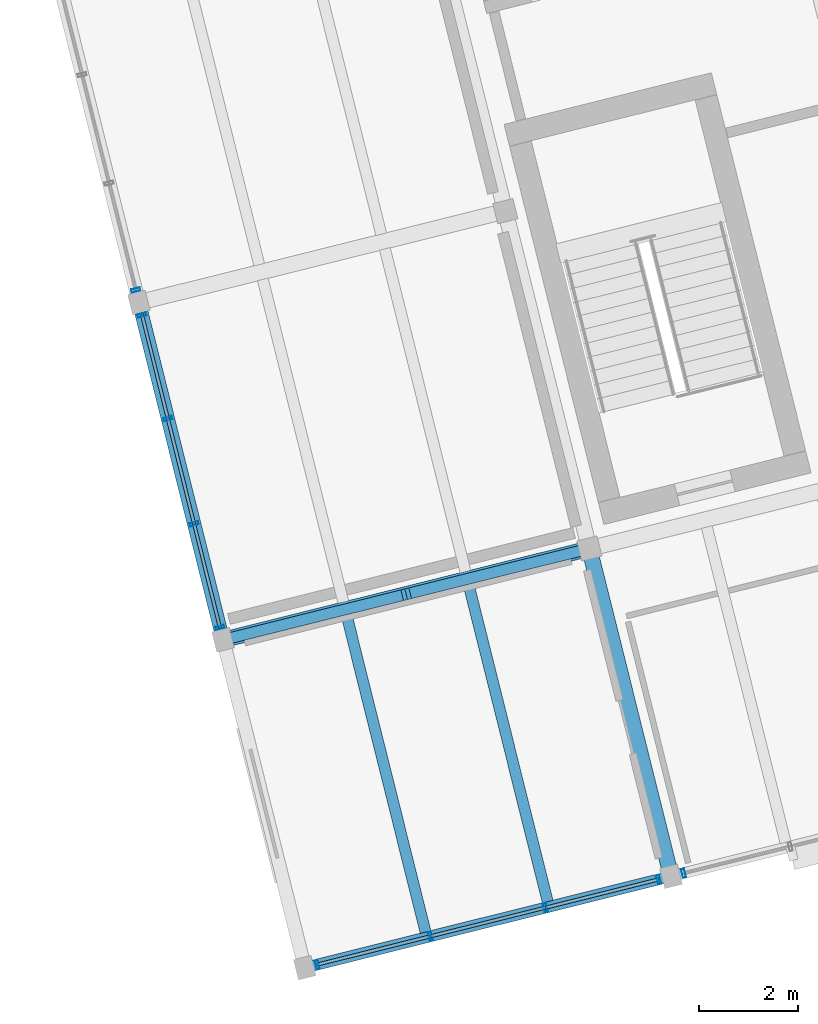
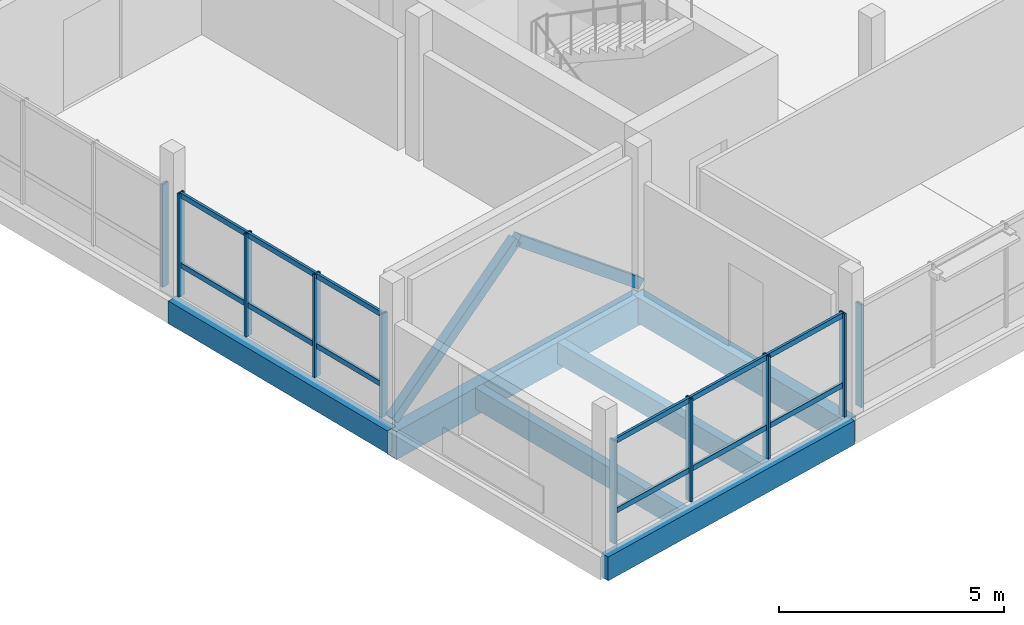
# One storey, part 2 of 28: 24 members, 6 beams, 4 elements without a shape of their own.
"""IFC4 building model written with IfcOpenShell, lengths in metres."""

from ifc_helpers import new_model, si_unit, direction, frame, origin, origin_2d, place, context, subcontext, project, spatial, rectangle, hollow_rectangle, extrude, material, layer, layer_set, material_profile, profile_set, type_object, element, aggregate, save


model = new_model("IFC4")

# Units and contexts
model_context = context("Model", 3, precision=1e-05, world=origin(), true_north=direction((0.0, 1.0)))
body_context = subcontext(model_context, "Body", "Model", "MODEL_VIEW")
ifc_project = project(units=[si_unit("LENGTHUNIT", "METRE"), si_unit("AREAUNIT", "SQUARE_METRE"), si_unit("VOLUMEUNIT", "CUBIC_METRE"), si_unit("PLANEANGLEUNIT", "RADIAN"), si_unit("MASSUNIT", "GRAM", prefix="KILO")], contexts=[model_context])

# Site, building, storey
site_placement = place(None, origin())
site = spatial("IfcSite", under=ifc_project, at=site_placement, CompositionType="ELEMENT")
building_placement = place(site_placement, origin())
building = spatial("IfcBuilding", under=site, at=building_placement, Name="Meriwether Solvik Hall", CompositionType="ELEMENT")
storey_placement = place(building_placement, frame((0.0, 0.0, 30.0)))
storey = spatial("IfcBuildingStorey", under=building, at=storey_placement, Name="L07", CompositionType="ELEMENT", Elevation=30.0)

# Beams
ifc_material_1 = material(Name="Glulam Douglas-Fir 24F-V8 GL28h", Category="wood")
ifc_material_profile_1 = material_profile(ifc_material_1, rectangle(XDim=0.221923828125, YDim=0.64501953125, at=origin_2d()), Name="GLB-222X645")
ifc_profile_set_1 = profile_set([ifc_material_profile_1], Name="Glulam Douglas-Fir 24F-V8 GL28h")
beam_type_1 = type_object("IfcBeamType", Name="BM-GL-222X645", PredefinedType="SPANDREL", material=ifc_profile_set_1)
beam_1_placement = place(storey_placement, frame((68.60009765625, 41.199951171875, -0.54248046875), z_axis=(0.970295366785, 0.241923337436, 0.0), x_axis=(-0.241923337436, 0.970295366785, 0.0)))
element("IfcBeam", 1, at=beam_1_placement, inside=storey, type_object=beam_type_1, Name="Tower Girder TA:T1-T2 (L07)", PredefinedType="SPANDREL", context=body_context, shape_type="SweptSolid", body=[
    extrude(rectangle(XDim=0.221923828125, YDim=0.64501953125, at=origin_2d()), origin(), (0.0, 0.0, 1.0), 7.60009765625),
])
ifc_material_2 = material(Name="Glulam Douglas-Fir 24F-V8 GL28h", Category="wood")
ifc_material_profile_2 = material_profile(ifc_material_2, rectangle(XDim=0.27294921875, YDim=0.610107421875, at=origin_2d()), Name="GLB-273X610")
ifc_profile_set_2 = profile_set([ifc_material_profile_2], Name="Glulam Douglas-Fir 24F-V8 GL28h")
beam_type_2 = type_object("IfcBeamType", Name="BM-GL-273X610", PredefinedType="SPANDREL", material=ifc_profile_set_2)
beam_2_placement = place(storey_placement, frame((66.954833984375, 47.798095703125, -0.52490234375), z_axis=(-0.241911879182, 0.970298223594, 0.0), x_axis=(-0.970298223594, -0.241911879182, 0.0)))
element("IfcBeam", 2, at=beam_2_placement, inside=storey, type_object=beam_type_2, Name="Tower Girder T1:TB-TC (L07)", PredefinedType="SPANDREL", context=body_context, shape_type="SweptSolid", body=[
    extrude(rectangle(XDim=0.27294921875, YDim=0.610107421875, at=origin_2d()), origin(), (0.0, 0.0, 1.0), 7.0),
])
ifc_material_3 = material(Name="Glulam Douglas-Fir 24F-V8 GL28h", Category="wood")
ifc_material_profile_3 = material_profile(ifc_material_3, rectangle(XDim=0.31494140625, YDim=0.68505859375, at=origin_2d()), Name="GLB-315X685")
ifc_profile_set_3 = profile_set([ifc_material_profile_3], Name="Glulam Douglas-Fir 24F-V8 GL28h")
beam_type_3 = type_object("IfcBeamType", Name="BM-GL-315X685", PredefinedType="BEAM", material=ifc_profile_set_3)
beam_3_placement = place(storey_placement, frame((75.974365234375, 43.03857421875, -0.5625), z_axis=(-0.241944251278, 0.970290152106, 0.0), x_axis=(-0.970290152106, -0.241944251278, 0.0)))
element("IfcBeam", 3, at=beam_3_placement, inside=storey, type_object=beam_type_3, Name="Tower Girder T2:TA-TB (L07)", PredefinedType="BEAM", context=body_context, shape_type="SweptSolid", body=[
    extrude(rectangle(XDim=0.31494140625, YDim=0.68505859375, at=origin_2d()), origin(), (0.0, 0.0, 1.0), 6.80029296875),
])
ifc_material_4 = material(Name="Glulam Douglas-Fir 24F-V8 GL28h", Category="wood")
ifc_material_profile_4 = material_profile(ifc_material_4, rectangle(XDim=0.31494140625, YDim=0.760009765625, at=origin_2d()), Name="GLB-315X760")
ifc_profile_set_4 = profile_set([ifc_material_profile_4], Name="Glulam Douglas-Fir 24F-V8 GL28h")
beam_type_4 = type_object("IfcBeamType", Name="BM-GL-315X760", PredefinedType="BEAM", material=ifc_profile_set_4)
beam_4_placement = place(storey_placement, frame((66.954833984375, 47.798095703125, -0.60009765625), z_axis=(0.970295366785, 0.241923337436, 0.0), x_axis=(-0.241923337436, 0.970295366785, 0.0)))
element("IfcBeam", 4, at=beam_4_placement, inside=storey, type_object=beam_type_4, Name="Tower Girder TB:T1-T2 (L07)", PredefinedType="BEAM", context=body_context, shape_type="SweptSolid", body=[
    extrude(rectangle(XDim=0.31494140625, YDim=0.760009765625, at=origin_2d()), origin(), (0.0, 0.0, 1.0), 7.60009765625),
])

# Curtain wall, members
ifc_material_5 = material(Name="Thermally Broken Anodised Aluminium 6063-T6 and Low-E Glass", Category="aluminium")
ifc_layer_1 = layer(ifc_material_5, 0.179931640625)
ifc_layer_set_1 = layer_set([ifc_layer_1], Name="Thermally Broken Anodised Aluminium 6063-T6 and Low-E Glass")
curtain_wall_type_1 = type_object("IfcCurtainWallType", Name="CW-UNIT-E", PredefinedType="USERDEFINED", material=ifc_layer_set_1)
curtain_wall_1_placement = place(storey_placement, origin())
curtain_wall_1 = element("IfcCurtainWall", 5, at=curtain_wall_1_placement, inside=storey, type_object=curtain_wall_type_1, Name="Curtain Wall E0_B0 (L07)", ObjectType="UNITISED CURTAIN WALL", PredefinedType="USERDEFINED")
ifc_material_6 = material(Name="Anodised Aluminium 6063-T6", Category="aluminium")
ifc_material_profile_5 = material_profile(ifc_material_6, hollow_rectangle(XDim=0.06494140625, YDim=0.179931640625, WallThickness=0.00439453125, at=origin_2d()), Name="CWM-65X180")
ifc_profile_set_5 = profile_set([ifc_material_profile_5], Name="Anodised Aluminium 6063-T6")
member_type_1 = type_object("IfcMemberType", Name="CW-MUL-65X180", PredefinedType="MULLION", material=ifc_profile_set_5)
member_1_placement = place(storey_placement, frame((75.721923828125, 42.975830078125, 0.0), z_axis=(0.0, 0.0, 1.0), x_axis=(-0.970295727285, -0.241921891552, 0.0)))
member_1 = element("IfcMember", 6, at=member_1_placement, type_object=member_type_1, Name="Curtain Wall Mullion 1", PredefinedType="MULLION", context=body_context, shape_type="SweptSolid", body=[
    extrude(hollow_rectangle(XDim=0.06494140625, YDim=0.179931640625, WallThickness=0.00439453125, at=origin_2d()), origin(), (0.0, 0.0, 1.0), 2.7900390625),
])
member_2_placement = place(storey_placement, frame((73.4443359375, 42.407958984375, 0.0), z_axis=(0.0, 0.0, 1.0), x_axis=(-0.970295727285, -0.241921891552, 0.0)))
member_2 = element("IfcMember", 7, at=member_2_placement, type_object=member_type_1, Name="Curtain Wall Mullion 2", PredefinedType="MULLION", context=body_context, shape_type="SweptSolid", body=[
    extrude(hollow_rectangle(XDim=0.06494140625, YDim=0.179931640625, WallThickness=0.00439453125, at=origin_2d()), origin(), (0.0, 0.0, 1.0), 2.7900390625),
])
member_3_placement = place(storey_placement, frame((71.1298828125, 41.830810546875, 0.0), z_axis=(0.0, 0.0, 1.0), x_axis=(-0.970295727285, -0.241921891552, 0.0)))
member_3 = element("IfcMember", 8, at=member_3_placement, type_object=member_type_1, Name="Curtain Wall Mullion 3", PredefinedType="MULLION", context=body_context, shape_type="SweptSolid", body=[
    extrude(hollow_rectangle(XDim=0.06494140625, YDim=0.179931640625, WallThickness=0.00439453125, at=origin_2d()), origin(), (0.0, 0.0, 1.0), 2.7900390625),
])
member_4_placement = place(storey_placement, frame((68.852294921875, 41.262939453125, 0.0), z_axis=(0.0, 0.0, 1.0), x_axis=(-0.970295727285, -0.241921891552, 0.0)))
member_4 = element("IfcMember", 9, at=member_4_placement, type_object=member_type_1, Name="Curtain Wall Mullion 4", PredefinedType="MULLION", context=body_context, shape_type="SweptSolid", body=[
    extrude(hollow_rectangle(XDim=0.06494140625, YDim=0.179931640625, WallThickness=0.00439453125, at=origin_2d()), origin(), (0.0, 0.0, 1.0), 2.7900390625),
])

# Curtain wall, member
ifc_material_7 = material(Name="Thermally Broken Anodised Aluminium 6063-T6 and Low-E Glass", Category="aluminium")
ifc_layer_2 = layer(ifc_material_7, 0.179931640625)
ifc_layer_set_2 = layer_set([ifc_layer_2], Name="Thermally Broken Anodised Aluminium 6063-T6 and Low-E Glass")
curtain_wall_type_2 = type_object("IfcCurtainWallType", Name="CW-UNIT-F", PredefinedType="USERDEFINED", material=ifc_layer_set_2)
curtain_wall_2_placement = place(storey_placement, origin())
curtain_wall_2 = element("IfcCurtainWall", 10, at=curtain_wall_2_placement, inside=storey, type_object=curtain_wall_type_2, Name="Curtain Wall E0_B1 (L07)", ObjectType="UNITISED CURTAIN WALL", PredefinedType="USERDEFINED")
member_5_placement = place(storey_placement, frame((76.2265625, 43.1015625, 0.0), z_axis=(0.0, 0.0, 1.0), x_axis=(-0.970295738259, -0.241921847539, 0.0)))
member_5 = element("IfcMember", 11, at=member_5_placement, type_object=member_type_1, Name="Curtain Wall Mullion 4", PredefinedType="MULLION", context=body_context, shape_type="SweptSolid", body=[
    extrude(hollow_rectangle(XDim=0.06494140625, YDim=0.179931640625, WallThickness=0.00439453125, at=origin_2d()), origin(), (0.0, 0.0, 1.0), 2.7900390625),
])
aggregate(curtain_wall_2, [member_5])

# Curtain wall, members
ifc_material_8 = material(Name="Thermally Broken Anodised Aluminium 6063-T6 and Low-E Glass", Category="aluminium")
ifc_layer_3 = layer(ifc_material_8, 0.179931640625)
ifc_layer_set_3 = layer_set([ifc_layer_3], Name="Thermally Broken Anodised Aluminium 6063-T6 and Low-E Glass")
curtain_wall_type_3 = type_object("IfcCurtainWallType", Name="CW-UNIT-D", PredefinedType="USERDEFINED", material=ifc_layer_set_3)
curtain_wall_3_placement = place(storey_placement, origin())
curtain_wall_3 = element("IfcCurtainWall", 12, at=curtain_wall_3_placement, inside=storey, type_object=curtain_wall_type_3, Name="Curtain Wall E5_B1 (L07)", ObjectType="UNITISED CURTAIN WALL", PredefinedType="USERDEFINED")
member_6_placement = place(storey_placement, frame((66.89208984375, 48.05029296875, 0.0), z_axis=(0.0, 0.0, 1.0), x_axis=(-0.241921787504, 0.970295753227, 0.0)))
member_6 = element("IfcMember", 13, at=member_6_placement, type_object=member_type_1, Name="Curtain Wall Mullion 1", PredefinedType="MULLION", context=body_context, shape_type="SweptSolid", body=[
    extrude(hollow_rectangle(XDim=0.06494140625, YDim=0.179931640625, WallThickness=0.00439453125, at=origin_2d()), origin(), (0.0, 0.0, 1.0), 2.7900390625),
])
member_7_placement = place(storey_placement, frame((66.37255859375, 50.1337890625, 0.0), z_axis=(0.0, 0.0, 1.0), x_axis=(-0.241921787504, 0.970295753227, 0.0)))
member_7 = element("IfcMember", 14, at=member_7_placement, type_object=member_type_1, Name="Curtain Wall Mullion 2", PredefinedType="MULLION", context=body_context, shape_type="SweptSolid", body=[
    extrude(hollow_rectangle(XDim=0.06494140625, YDim=0.179931640625, WallThickness=0.00439453125, at=origin_2d()), origin(), (0.0, 0.0, 1.0), 2.7900390625),
])
member_8_placement = place(storey_placement, frame((65.84375, 52.254150390625, 0.0), z_axis=(0.0, 0.0, 1.0), x_axis=(-0.241921787504, 0.970295753227, 0.0)))
member_8 = element("IfcMember", 15, at=member_8_placement, type_object=member_type_1, Name="Curtain Wall Mullion 3", PredefinedType="MULLION", context=body_context, shape_type="SweptSolid", body=[
    extrude(hollow_rectangle(XDim=0.06494140625, YDim=0.179931640625, WallThickness=0.00439453125, at=origin_2d()), origin(), (0.0, 0.0, 1.0), 2.7900390625),
])
member_9_placement = place(storey_placement, frame((65.324462890625, 54.337890625, 0.0), z_axis=(0.0, 0.0, 1.0), x_axis=(-0.241921787504, 0.970295753227, 0.0)))
member_9 = element("IfcMember", 16, at=member_9_placement, type_object=member_type_1, Name="Curtain Wall Mullion 4", PredefinedType="MULLION", context=body_context, shape_type="SweptSolid", body=[
    extrude(hollow_rectangle(XDim=0.06494140625, YDim=0.179931640625, WallThickness=0.00439453125, at=origin_2d()), origin(), (0.0, 0.0, 1.0), 2.7900390625),
])

# Curtain wall, member
curtain_wall_4_placement = place(storey_placement, origin())
curtain_wall_4 = element("IfcCurtainWall", 17, at=curtain_wall_4_placement, inside=storey, type_object=curtain_wall_type_1, Name="Curtain Wall E5_B2 (L07)", ObjectType="UNITISED CURTAIN WALL", PredefinedType="USERDEFINED")
member_10_placement = place(storey_placement, frame((65.198486328125, 54.84228515625, 0.0), z_axis=(0.0, 0.0, 1.0), x_axis=(-0.241921847539, 0.970295738259, 0.0)))
member_10 = element("IfcMember", 18, at=member_10_placement, type_object=member_type_1, Name="Curtain Wall Mullion 1", PredefinedType="MULLION", context=body_context, shape_type="SweptSolid", body=[
    extrude(hollow_rectangle(XDim=0.06494140625, YDim=0.179931640625, WallThickness=0.00439453125, at=origin_2d()), origin(), (0.0, 0.0, 1.0), 2.7900390625),
])
aggregate(curtain_wall_4, [member_10])

# Member
ifc_material_9 = material(Name="Anodised Aluminium 6063-T6", Category="aluminium")
ifc_material_profile_6 = material_profile(ifc_material_9, hollow_rectangle(XDim=0.06494140625, YDim=0.139892578125, WallThickness=0.00439453125, at=origin_2d()), Name="CWT-65X140")
ifc_profile_set_6 = profile_set([ifc_material_profile_6], Name="Anodised Aluminium 6063-T6")
member_type_2 = type_object("IfcMemberType", Name="CW-TRN-65X140", PredefinedType="USERDEFINED", material=ifc_profile_set_6)
member_11_placement = place(storey_placement, frame((75.721923828125, 42.975830078125, 0.8369140625), z_axis=(-0.970295260897, -0.241923762123, 0.0), x_axis=(0.241923762123, -0.970295260897, 0.0)))
member_11 = element("IfcMember", 19, at=member_11_placement, type_object=member_type_2, Name="Curtain Wall Transom 1-sill", ObjectType="TRANSOM", PredefinedType="USERDEFINED", context=body_context, shape_type="SweptSolid", body=[
    extrude(hollow_rectangle(XDim=0.06494140625, YDim=0.139892578125, WallThickness=0.00439453125, at=origin_2d()), origin(), (0.0, 0.0, 1.0), 2.347412109375),
])

member_12_placement = place(storey_placement, frame((75.721923828125, 42.975830078125, 2.72998046875), z_axis=(-0.970295260897, -0.241923762123, 0.0), x_axis=(0.241923762123, -0.970295260897, 0.0)))
member_12 = element("IfcMember", 20, at=member_12_placement, type_object=member_type_2, Name="Curtain Wall Transom 1-head", ObjectType="TRANSOM", PredefinedType="USERDEFINED", context=body_context, shape_type="SweptSolid", body=[
    extrude(hollow_rectangle(XDim=0.06494140625, YDim=0.139892578125, WallThickness=0.00439453125, at=origin_2d()), origin(), (0.0, 0.0, 1.0), 2.347412109375),
])

member_13_placement = place(storey_placement, frame((73.4443359375, 42.407958984375, 0.8369140625), z_axis=(-0.970286823405, -0.241957600267, 0.0), x_axis=(0.241957600267, -0.970286823405, 0.0)))
member_13 = element("IfcMember", 21, at=member_13_placement, type_object=member_type_2, Name="Curtain Wall Transom 2-sill", ObjectType="TRANSOM", PredefinedType="USERDEFINED", context=body_context, shape_type="SweptSolid", body=[
    extrude(hollow_rectangle(XDim=0.06494140625, YDim=0.139892578125, WallThickness=0.00439453125, at=origin_2d()), origin(), (0.0, 0.0, 1.0), 2.38525390625),
])

member_14_placement = place(storey_placement, frame((73.4443359375, 42.407958984375, 2.72998046875), z_axis=(-0.970286823405, -0.241957600267, 0.0), x_axis=(0.241957600267, -0.970286823405, 0.0)))
member_14 = element("IfcMember", 22, at=member_14_placement, type_object=member_type_2, Name="Curtain Wall Transom 2-head", ObjectType="TRANSOM", PredefinedType="USERDEFINED", context=body_context, shape_type="SweptSolid", body=[
    extrude(hollow_rectangle(XDim=0.06494140625, YDim=0.139892578125, WallThickness=0.00439453125, at=origin_2d()), origin(), (0.0, 0.0, 1.0), 2.38525390625),
])

member_15_placement = place(storey_placement, frame((71.1298828125, 41.830810546875, 0.8369140625), z_axis=(-0.970295260897, -0.241923762123, 0.0), x_axis=(0.241923762123, -0.970295260897, 0.0)))
member_15 = element("IfcMember", 23, at=member_15_placement, type_object=member_type_2, Name="Curtain Wall Transom 3-sill", ObjectType="TRANSOM", PredefinedType="USERDEFINED", context=body_context, shape_type="SweptSolid", body=[
    extrude(hollow_rectangle(XDim=0.06494140625, YDim=0.139892578125, WallThickness=0.00439453125, at=origin_2d()), origin(), (0.0, 0.0, 1.0), 2.347412109375),
])

member_16_placement = place(storey_placement, frame((71.1298828125, 41.830810546875, 2.72998046875), z_axis=(-0.970295260897, -0.241923762123, 0.0), x_axis=(0.241923762123, -0.970295260897, 0.0)))
member_16 = element("IfcMember", 24, at=member_16_placement, type_object=member_type_2, Name="Curtain Wall Transom 3-head", ObjectType="TRANSOM", PredefinedType="USERDEFINED", context=body_context, shape_type="SweptSolid", body=[
    extrude(hollow_rectangle(XDim=0.06494140625, YDim=0.139892578125, WallThickness=0.00439453125, at=origin_2d()), origin(), (0.0, 0.0, 1.0), 2.347412109375),
])

aggregate(curtain_wall_1, [member_1, member_2, member_3, member_4, member_11, member_12, member_13, member_14, member_15, member_16])

member_17_placement = place(storey_placement, frame((66.89208984375, 48.05029296875, 0.8369140625), z_axis=(-0.241947031677, 0.970289458802, 0.0), x_axis=(-0.970289458802, -0.241947031677, 0.0)))
member_17 = element("IfcMember", 25, at=member_17_placement, type_object=member_type_2, Name="Curtain Wall Transom 1-sill", ObjectType="TRANSOM", PredefinedType="USERDEFINED", context=body_context, shape_type="SweptSolid", body=[
    extrude(hollow_rectangle(XDim=0.06494140625, YDim=0.139892578125, WallThickness=0.00439453125, at=origin_2d()), origin(), (0.0, 0.0, 1.0), 2.147216796875),
])

member_18_placement = place(storey_placement, frame((66.89208984375, 48.05029296875, 2.72998046875), z_axis=(-0.241947031677, 0.970289458802, 0.0), x_axis=(-0.970289458802, -0.241947031677, 0.0)))
member_18 = element("IfcMember", 26, at=member_18_placement, type_object=member_type_2, Name="Curtain Wall Transom 1-head", ObjectType="TRANSOM", PredefinedType="USERDEFINED", context=body_context, shape_type="SweptSolid", body=[
    extrude(hollow_rectangle(XDim=0.06494140625, YDim=0.139892578125, WallThickness=0.00439453125, at=origin_2d()), origin(), (0.0, 0.0, 1.0), 2.147216796875),
])

member_19_placement = place(storey_placement, frame((66.37255859375, 50.1337890625, 0.8369140625), z_axis=(-0.241983562004, 0.970280349033, 0.0), x_axis=(-0.970280349033, -0.241983562004, 0.0)))
member_19 = element("IfcMember", 27, at=member_19_placement, type_object=member_type_2, Name="Curtain Wall Transom 2-sill", ObjectType="TRANSOM", PredefinedType="USERDEFINED", context=body_context, shape_type="SweptSolid", body=[
    extrude(hollow_rectangle(XDim=0.06494140625, YDim=0.139892578125, WallThickness=0.00439453125, at=origin_2d()), origin(), (0.0, 0.0, 1.0), 2.185302734375),
])

member_20_placement = place(storey_placement, frame((66.37255859375, 50.1337890625, 2.72998046875), z_axis=(-0.241983562004, 0.970280349033, 0.0), x_axis=(-0.970280349033, -0.241983562004, 0.0)))
member_20 = element("IfcMember", 28, at=member_20_placement, type_object=member_type_2, Name="Curtain Wall Transom 2-head", ObjectType="TRANSOM", PredefinedType="USERDEFINED", context=body_context, shape_type="SweptSolid", body=[
    extrude(hollow_rectangle(XDim=0.06494140625, YDim=0.139892578125, WallThickness=0.00439453125, at=origin_2d()), origin(), (0.0, 0.0, 1.0), 2.185302734375),
])

member_21_placement = place(storey_placement, frame((65.84375, 52.254150390625, 0.8369140625), z_axis=(-0.241813307838, 0.970322793792, 0.0), x_axis=(-0.970322793792, -0.241813307838, 0.0)))
member_21 = element("IfcMember", 29, at=member_21_placement, type_object=member_type_2, Name="Curtain Wall Transom 3-sill", ObjectType="TRANSOM", PredefinedType="USERDEFINED", context=body_context, shape_type="SweptSolid", body=[
    extrude(hollow_rectangle(XDim=0.06494140625, YDim=0.139892578125, WallThickness=0.00439453125, at=origin_2d()), origin(), (0.0, 0.0, 1.0), 2.1474609375),
])

member_22_placement = place(storey_placement, frame((65.84375, 52.254150390625, 2.72998046875), z_axis=(-0.241813307838, 0.970322793792, 0.0), x_axis=(-0.970322793792, -0.241813307838, 0.0)))
member_22 = element("IfcMember", 30, at=member_22_placement, type_object=member_type_2, Name="Curtain Wall Transom 3-head", ObjectType="TRANSOM", PredefinedType="USERDEFINED", context=body_context, shape_type="SweptSolid", body=[
    extrude(hollow_rectangle(XDim=0.06494140625, YDim=0.139892578125, WallThickness=0.00439453125, at=origin_2d()), origin(), (0.0, 0.0, 1.0), 2.1474609375),
])

aggregate(curtain_wall_3, [member_6, member_7, member_8, member_9, member_17, member_18, member_19, member_20, member_21, member_22])

# Beams
ifc_material_10 = material(Name="Glulam Douglas-Fir 24F-V8 GL28h", Category="wood")
ifc_material_profile_7 = material_profile(ifc_material_10, rectangle(XDim=0.221923828125, YDim=0.570068359375, at=origin_2d()), Name="GLJ-222X570")
ifc_profile_set_7 = profile_set([ifc_material_profile_7], Name="Glulam Douglas-Fir 24F-V8 GL28h")
beam_type_5 = type_object("IfcBeamType", Name="JST-GL-222X570", PredefinedType="JOIST", material=ifc_profile_set_7)
for number, where, z_axis, x_axis, name in (
    (31, (71.032470703125, 41.915771484375, -0.5048828125), (-0.241920861923, 0.970295984, 0.0), (-0.970295984, -0.241920861923, 0.0), "Glulam Floor Joist T1/TA-J1 (L07)"),
    (32, (73.490478515625, 42.528564453125, -0.5048828125), (-0.241920861923, 0.970295984, 0.0), (-0.970295984, -0.241920861923, 0.0), "Glulam Floor Joist T1/TA-J2 (L07)"),
):
    element("IfcBeam", number, at=place(storey_placement, frame(where, z_axis=z_axis, x_axis=x_axis)), inside=storey, type_object=beam_type_5, Name=name, PredefinedType="JOIST", context=body_context, shape_type="SweptSolid", body=[
        extrude(rectangle(XDim=0.221923828125, YDim=0.570068359375, at=origin_2d()), origin(), (0.0, 0.0, 1.0), 6.54150390625),
    ])

# Members
ifc_material_11 = material(Name="Glulam Douglas-Fir 24F-V8 GL28h", Category="wood")
ifc_material_profile_8 = material_profile(ifc_material_11, rectangle(XDim=0.221923828125, YDim=0.26708984375, at=origin_2d()), Name="GLM-222X267")
ifc_profile_set_8 = profile_set([ifc_material_profile_8], Name="Glulam Douglas-Fir 24F-V8 GL28h")
member_type_3 = type_object("IfcMemberType", Name="MEM-BR-GL222", PredefinedType="BRACE", material=ifc_profile_set_8)
for number, where, z_axis, x_axis, name in (
    (33, (66.954833984375, 47.798095703125, 0.050048828125), (0.759157605532, 0.189249048853, 0.622787706584), (-0.241885553952, 0.970304786544, 0.0), "Tower Chevron Brace L07-B1A"),
    (34, (74.3291015625, 49.63671875, 0.050048828125), (-0.759129085082, -0.189304736751, 0.622805546561), (0.241961122321, -0.970285945114, 0.0), "Tower Chevron Brace L07-B1B"),
):
    element("IfcMember", number, at=place(storey_placement, frame(where, z_axis=z_axis, x_axis=x_axis)), inside=storey, type_object=member_type_3, Name=name, PredefinedType="BRACE", context=body_context, shape_type="SweptSolid", body=[
        extrude(rectangle(XDim=0.221923828125, YDim=0.26708984375, at=origin_2d()), origin(), (0.0, 0.0, 1.0), 4.85693359375),
    ])

save(model, "model.ifc")
